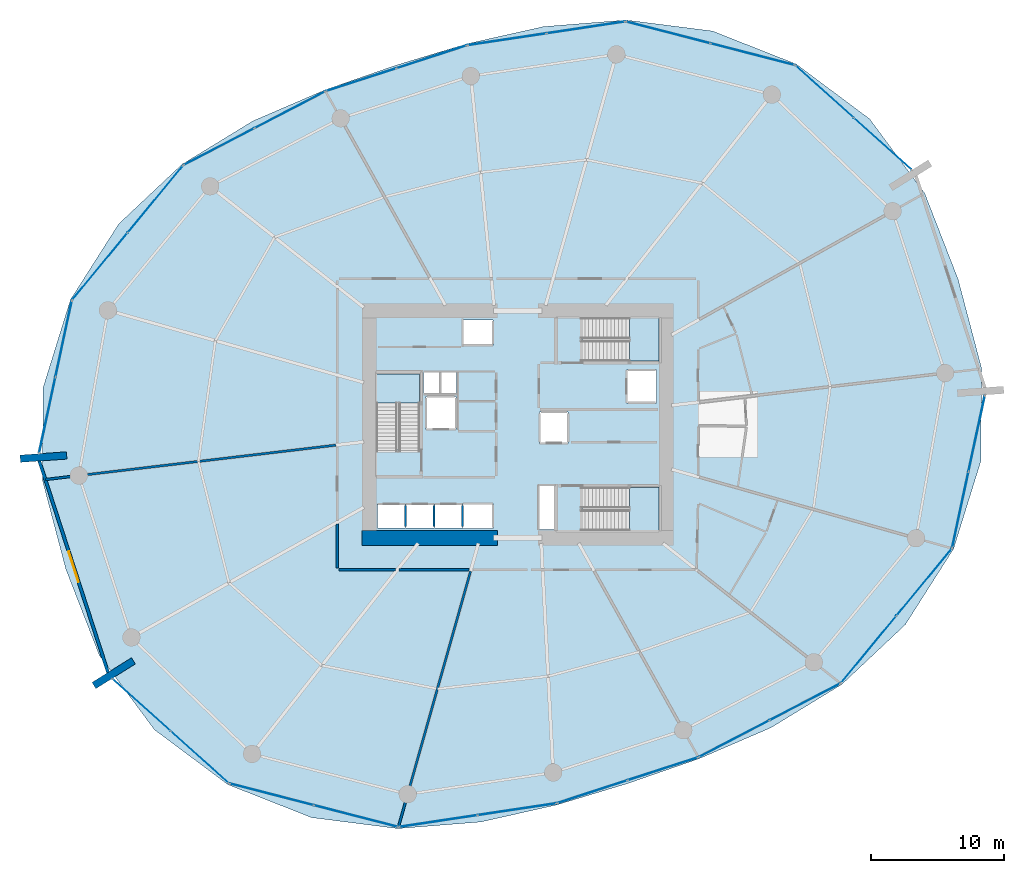
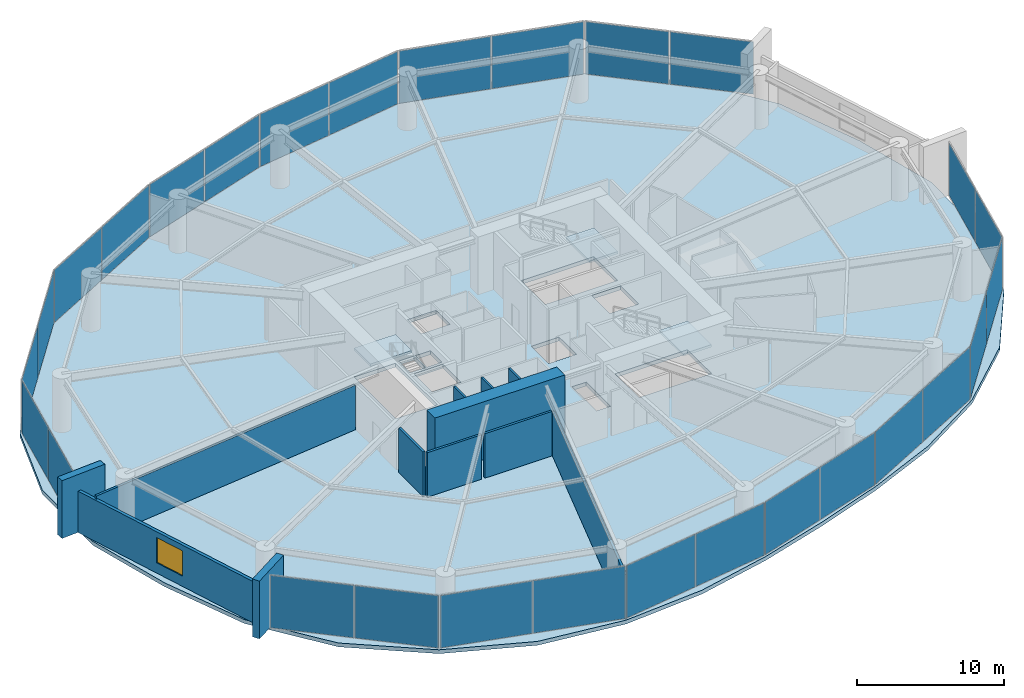
# One storey, part 17 of 22: 28 plates, 12 walls, 4 slabs, 1 window, 1 opening, 17 elements without a shape of their own.
"""IFC4 building model written with IfcOpenShell, lengths in metres."""

from ifc_helpers import new_model, si_unit, direction, frame, frame_2d, origin, origin_2d, place, context, subcontext, project, spatial, polyline, rectangle, outline, extrude, material, layer, layer_set, type_object, element, fill, aggregate, save


model = new_model("IFC4")

# Units and contexts
model_context = context("Model", 3, precision=1e-05, world=origin(), true_north=direction((0.0, 1.0)))
body_context = subcontext(model_context, "Body", "Model", "MODEL_VIEW")
ifc_project = project(units=[si_unit("LENGTHUNIT", "METRE"), si_unit("AREAUNIT", "SQUARE_METRE"), si_unit("VOLUMEUNIT", "CUBIC_METRE"), si_unit("PLANEANGLEUNIT", "RADIAN"), si_unit("MASSUNIT", "GRAM", prefix="KILO")], contexts=[model_context])

# Site, building, storey
site_placement = place(None, origin())
site = spatial("IfcSite", under=ifc_project, at=site_placement, CompositionType="ELEMENT")
building_placement = place(site_placement, origin())
building = spatial("IfcBuilding", under=site, at=building_placement, Name="Kazma Halo Residences", CompositionType="ELEMENT")
storey_placement = place(building_placement, frame((0.0, 0.0, 12.0)))
storey = spatial("IfcBuildingStorey", under=building, at=storey_placement, Name="L02", CompositionType="ELEMENT", Elevation=12.0)

# Curtain wall, plates
ifc_material_1 = material(Name="Aluminium AW-6063 T6 and Triple-Silver Low-E Glass", Category="aluminium")
ifc_layer_1 = layer(ifc_material_1, 0.179931640625)
ifc_layer_set_1 = layer_set([ifc_layer_1], Name="Aluminium AW-6063 T6 and Triple-Silver Low-E Glass")
curtain_wall_type = type_object("IfcCurtainWallType", Name="CW-SYS-1", PredefinedType="NOTDEFINED", material=ifc_layer_set_1)
curtain_wall_1_placement = place(storey_placement, origin())
curtain_wall_1 = element("IfcCurtainWall", 1, at=curtain_wall_1_placement, inside=storey, type_object=curtain_wall_type, Name="L02 unitised curtain wall B01", PredefinedType="NOTDEFINED")
ifc_material_2 = material(Name="Clear Triple-Silver Low-E Glass IGU", Category="glass")
ifc_layer_2 = layer(ifc_material_2, 0.031982421875)
ifc_layer_set_2 = layer_set([ifc_layer_2], Name="Clear Triple-Silver Low-E Glass IGU")
plate_type = type_object("IfcPlateType", Name="CW-SYS-1-PNL", PredefinedType="CURTAIN_PANEL", material=ifc_layer_set_2)
plate_1_placement = place(storey_placement, frame((75.8740234375, 63.110107421875, 0.06494140625), z_axis=(0.0, 0.0, 1.0), x_axis=(-0.744297770784, 0.667847908139, 0.0)))
plate_1 = element("IfcPlate", 2, at=plate_1_placement, type_object=plate_type, Name="CWS-1 panel 1.1", PredefinedType="CURTAIN_PANEL", context=body_context, shape_type="SweptSolid", body=[
    extrude(rectangle(XDim=5.8056640625, YDim=0.031982421875, at=origin_2d()), origin(), (0.0, 0.0, 1.0), 4.35009765625),
])
plate_2_placement = place(storey_placement, frame((71.50439453125, 67.031005859375, 0.06494140625), z_axis=(0.0, 0.0, 1.0), x_axis=(-0.744297770784, 0.667847908139, 0.0)))
plate_2 = element("IfcPlate", 3, at=plate_2_placement, type_object=plate_type, Name="CWS-1 panel 2.1", PredefinedType="CURTAIN_PANEL", context=body_context, shape_type="SweptSolid", body=[
    extrude(rectangle(XDim=5.8056640625, YDim=0.031982421875, at=origin_2d()), origin(), (0.0, 0.0, 1.0), 4.35009765625),
])
aggregate(curtain_wall_1, [plate_1, plate_2])

curtain_wall_2_placement = place(storey_placement, origin())
curtain_wall_2 = element("IfcCurtainWall", 4, at=curtain_wall_2_placement, inside=storey, type_object=curtain_wall_type, Name="L02 unitised curtain wall B02", PredefinedType="NOTDEFINED")
plate_3_placement = place(storey_placement, frame((66.09228515625, 69.839111328125, 0.06494140625), z_axis=(0.0, 0.0, 1.0), x_axis=(-0.96831625699, 0.249727103953, 0.0)))
plate_3 = element("IfcPlate", 5, at=plate_3_placement, type_object=plate_type, Name="CWS-1 panel 1.1", PredefinedType="CURTAIN_PANEL", context=body_context, shape_type="SweptSolid", body=[
    extrude(rectangle(XDim=6.48583984375, YDim=0.031982421875, at=origin_2d()), origin(), (0.0, 0.0, 1.0), 4.35009765625),
])
plate_4_placement = place(storey_placement, frame((59.7490234375, 71.47509765625, 0.06494140625), z_axis=(0.0, 0.0, 1.0), x_axis=(-0.96831625699, 0.249727103953, 0.0)))
plate_4 = element("IfcPlate", 6, at=plate_4_placement, type_object=plate_type, Name="CWS-1 panel 2.1", PredefinedType="CURTAIN_PANEL", context=body_context, shape_type="SweptSolid", body=[
    extrude(rectangle(XDim=6.48583984375, YDim=0.031982421875, at=origin_2d()), origin(), (0.0, 0.0, 1.0), 4.35009765625),
])
aggregate(curtain_wall_2, [plate_3, plate_4])

curtain_wall_3_placement = place(storey_placement, origin())
curtain_wall_3 = element("IfcCurtainWall", 7, at=curtain_wall_3_placement, inside=storey, type_object=curtain_wall_type, Name="L02 unitised curtain wall B03", PredefinedType="NOTDEFINED")
plate_5_placement = place(storey_placement, frame((53.549560546875, 71.85107421875, 0.06494140625), z_axis=(0.0, 0.0, 1.0), x_axis=(-0.988905053379, -0.148548966342, 0.0)))
plate_5 = element("IfcPlate", 8, at=plate_5_placement, type_object=plate_type, Name="CWS-1 panel 1.1", PredefinedType="CURTAIN_PANEL", context=body_context, shape_type="SweptSolid", body=[
    extrude(rectangle(XDim=5.929443359375, YDim=0.031982421875, at=origin_2d()), origin(), (0.0, 0.0, 1.0), 4.35009765625),
])
plate_6_placement = place(storey_placement, frame((47.621826171875, 70.96044921875, 0.06494140625), z_axis=(0.0, 0.0, 1.0), x_axis=(-0.988905053379, -0.148548966342, 0.0)))
plate_6 = element("IfcPlate", 9, at=plate_6_placement, type_object=plate_type, Name="CWS-1 panel 2.1", PredefinedType="CURTAIN_PANEL", context=body_context, shape_type="SweptSolid", body=[
    extrude(rectangle(XDim=5.929443359375, YDim=0.031982421875, at=origin_2d()), origin(), (0.0, 0.0, 1.0), 4.35009765625),
])
aggregate(curtain_wall_3, [plate_5, plate_6])

curtain_wall_4_placement = place(storey_placement, origin())
curtain_wall_4 = element("IfcCurtainWall", 10, at=curtain_wall_4_placement, inside=storey, type_object=curtain_wall_type, Name="L02 unitised curtain wall B04", PredefinedType="NOTDEFINED")
plate_7_placement = place(storey_placement, frame((41.94677734375, 69.64013671875, 0.06494140625), z_axis=(0.0, 0.0, 1.0), x_axis=(-0.951056436743, -0.309017239211, 0.0)))
plate_7 = element("IfcPlate", 11, at=plate_7_placement, type_object=plate_type, Name="CWS-1 panel 1.1", PredefinedType="CURTAIN_PANEL", context=body_context, shape_type="SweptSolid", body=[
    extrude(rectangle(XDim=5.50341796875, YDim=0.031982421875, at=origin_2d()), origin(), (0.0, 0.0, 1.0), 4.35009765625),
])
plate_8_placement = place(storey_placement, frame((36.65087890625, 67.91943359375, 0.06494140625), z_axis=(0.0, 0.0, 1.0), x_axis=(-0.951056436743, -0.309017239211, 0.0)))
plate_8 = element("IfcPlate", 12, at=plate_8_placement, type_object=plate_type, Name="CWS-1 panel 2.1", PredefinedType="CURTAIN_PANEL", context=body_context, shape_type="SweptSolid", body=[
    extrude(rectangle(XDim=5.50341796875, YDim=0.031982421875, at=origin_2d()), origin(), (0.0, 0.0, 1.0), 4.35009765625),
])
aggregate(curtain_wall_4, [plate_7, plate_8])

curtain_wall_5_placement = place(storey_placement, origin())
curtain_wall_5 = element("IfcCurtainWall", 13, at=curtain_wall_5_placement, inside=storey, type_object=curtain_wall_type, Name="L02 unitised curtain wall B05", PredefinedType="NOTDEFINED")
plate_9_placement = place(storey_placement, frame((31.283447265625, 65.65185546875, 0.06494140625), z_axis=(0.0, 0.0, 1.0), x_axis=(-0.887355036047, -0.46108680311, 0.0)))
plate_9 = element("IfcPlate", 14, at=plate_9_placement, type_object=plate_type, Name="CWS-1 panel 1.1", PredefinedType="CURTAIN_PANEL", context=body_context, shape_type="SweptSolid", body=[
    extrude(rectangle(XDim=5.929443359375, YDim=0.031982421875, at=origin_2d()), origin(), (0.0, 0.0, 1.0), 4.35009765625),
])
plate_10_placement = place(storey_placement, frame((25.96435546875, 62.887939453125, 0.06494140625), z_axis=(0.0, 0.0, 1.0), x_axis=(-0.887355036047, -0.46108680311, 0.0)))
plate_10 = element("IfcPlate", 15, at=plate_10_placement, type_object=plate_type, Name="CWS-1 panel 2.1", PredefinedType="CURTAIN_PANEL", context=body_context, shape_type="SweptSolid", body=[
    extrude(rectangle(XDim=5.929443359375, YDim=0.031982421875, at=origin_2d()), origin(), (0.0, 0.0, 1.0), 4.35009765625),
])
aggregate(curtain_wall_5, [plate_9, plate_10])

curtain_wall_6_placement = place(storey_placement, origin())
curtain_wall_6 = element("IfcCurtainWall", 16, at=curtain_wall_6_placement, inside=storey, type_object=curtain_wall_type, Name="L02 unitised curtain wall B06", PredefinedType="NOTDEFINED")
plate_11_placement = place(storey_placement, frame((21.169921875, 58.93994140625, 0.06494140625), z_axis=(0.0, 0.0, 1.0), x_axis=(-0.636602895194, -0.771191775002, 0.0)))
plate_11 = element("IfcPlate", 17, at=plate_11_placement, type_object=plate_type, Name="CWS-1 panel 1.1", PredefinedType="CURTAIN_PANEL", context=body_context, shape_type="SweptSolid", body=[
    extrude(rectangle(XDim=6.48583984375, YDim=0.031982421875, at=origin_2d()), origin(), (0.0, 0.0, 1.0), 4.35009765625),
])
plate_12_placement = place(storey_placement, frame((16.999755859375, 53.887939453125, 0.06494140625), z_axis=(0.0, 0.0, 1.0), x_axis=(-0.636602895194, -0.771191775002, 0.0)))
plate_12 = element("IfcPlate", 18, at=plate_12_placement, type_object=plate_type, Name="CWS-1 panel 2.1", PredefinedType="CURTAIN_PANEL", context=body_context, shape_type="SweptSolid", body=[
    extrude(rectangle(XDim=6.48583984375, YDim=0.031982421875, at=origin_2d()), origin(), (0.0, 0.0, 1.0), 4.35009765625),
])
aggregate(curtain_wall_6, [plate_11, plate_12])

curtain_wall_7_placement = place(storey_placement, origin())
curtain_wall_7 = element("IfcCurtainWall", 19, at=curtain_wall_7_placement, inside=storey, type_object=curtain_wall_type, Name="L02 unitised curtain wall B07", PredefinedType="NOTDEFINED")
plate_13_placement = place(storey_placement, frame((14.271728515625, 48.434814453125, 0.06494140625), z_axis=(0.0, 0.0, 1.0), x_axis=(-0.209595607771, -0.977788157631, 0.0)))
plate_13 = element("IfcPlate", 20, at=plate_13_placement, type_object=plate_type, Name="CWS-1 panel 1.1", PredefinedType="CURTAIN_PANEL", context=body_context, shape_type="SweptSolid", body=[
    extrude(rectangle(XDim=5.8056640625, YDim=0.031982421875, at=origin_2d()), origin(), (0.0, 0.0, 1.0), 4.35009765625),
])
plate_14_placement = place(storey_placement, frame((13.041259765625, 42.694580078125, 0.06494140625), z_axis=(0.0, 0.0, 1.0), x_axis=(-0.209595607771, -0.977788157631, 0.0)))
plate_14 = element("IfcPlate", 21, at=plate_14_placement, type_object=plate_type, Name="CWS-1 panel 2.1", PredefinedType="CURTAIN_PANEL", context=body_context, shape_type="SweptSolid", body=[
    extrude(rectangle(XDim=5.8056640625, YDim=0.031982421875, at=origin_2d()), origin(), (0.0, 0.0, 1.0), 4.35009765625),
])
aggregate(curtain_wall_7, [plate_13, plate_14])

curtain_wall_8_placement = place(storey_placement, origin())
curtain_wall_8 = element("IfcCurtainWall", 22, at=curtain_wall_8_placement, inside=storey, type_object=curtain_wall_type, Name="L02 unitised curtain wall B09", PredefinedType="NOTDEFINED")
plate_15_placement = place(storey_placement, frame((20.1259765625, 20.889892578125, 0.06494140625), z_axis=(0.0, 0.0, 1.0), x_axis=(0.744297770784, -0.667847908139, 0.0)))
plate_15 = element("IfcPlate", 23, at=plate_15_placement, type_object=plate_type, Name="CWS-1 panel 1.1", PredefinedType="CURTAIN_PANEL", context=body_context, shape_type="SweptSolid", body=[
    extrude(rectangle(XDim=5.8056640625, YDim=0.031982421875, at=origin_2d()), origin(), (0.0, 0.0, 1.0), 4.35009765625),
])
plate_16_placement = place(storey_placement, frame((24.49560546875, 16.968994140625, 0.06494140625), z_axis=(0.0, 0.0, 1.0), x_axis=(0.744297770784, -0.667847908139, 0.0)))
plate_16 = element("IfcPlate", 24, at=plate_16_placement, type_object=plate_type, Name="CWS-1 panel 2.1", PredefinedType="CURTAIN_PANEL", context=body_context, shape_type="SweptSolid", body=[
    extrude(rectangle(XDim=5.8056640625, YDim=0.031982421875, at=origin_2d()), origin(), (0.0, 0.0, 1.0), 4.35009765625),
])
aggregate(curtain_wall_8, [plate_15, plate_16])

curtain_wall_9_placement = place(storey_placement, origin())
curtain_wall_9 = element("IfcCurtainWall", 25, at=curtain_wall_9_placement, inside=storey, type_object=curtain_wall_type, Name="L02 unitised curtain wall B10", PredefinedType="NOTDEFINED")
plate_17_placement = place(storey_placement, frame((29.90771484375, 14.160888671875, 0.06494140625), z_axis=(0.0, 0.0, 1.0), x_axis=(0.96831625699, -0.249727103953, 0.0)))
plate_17 = element("IfcPlate", 26, at=plate_17_placement, type_object=plate_type, Name="CWS-1 panel 1.1", PredefinedType="CURTAIN_PANEL", context=body_context, shape_type="SweptSolid", body=[
    extrude(rectangle(XDim=6.48583984375, YDim=0.031982421875, at=origin_2d()), origin(), (0.0, 0.0, 1.0), 4.35009765625),
])
plate_18_placement = place(storey_placement, frame((36.2509765625, 12.52490234375, 0.06494140625), z_axis=(0.0, 0.0, 1.0), x_axis=(0.96831625699, -0.249727103953, 0.0)))
plate_18 = element("IfcPlate", 27, at=plate_18_placement, type_object=plate_type, Name="CWS-1 panel 2.1", PredefinedType="CURTAIN_PANEL", context=body_context, shape_type="SweptSolid", body=[
    extrude(rectangle(XDim=6.48583984375, YDim=0.031982421875, at=origin_2d()), origin(), (0.0, 0.0, 1.0), 4.35009765625),
])
aggregate(curtain_wall_9, [plate_17, plate_18])

curtain_wall_10_placement = place(storey_placement, origin())
curtain_wall_10 = element("IfcCurtainWall", 28, at=curtain_wall_10_placement, inside=storey, type_object=curtain_wall_type, Name="L02 unitised curtain wall B11", PredefinedType="NOTDEFINED")
plate_19_placement = place(storey_placement, frame((42.450439453125, 12.14892578125, 0.06494140625), z_axis=(0.0, 0.0, 1.0), x_axis=(0.988905053379, 0.148548966342, 0.0)))
plate_19 = element("IfcPlate", 29, at=plate_19_placement, type_object=plate_type, Name="CWS-1 panel 1.1", PredefinedType="CURTAIN_PANEL", context=body_context, shape_type="SweptSolid", body=[
    extrude(rectangle(XDim=5.929443359375, YDim=0.031982421875, at=origin_2d()), origin(), (0.0, 0.0, 1.0), 4.35009765625),
])
plate_20_placement = place(storey_placement, frame((48.378173828125, 13.03955078125, 0.06494140625), z_axis=(0.0, 0.0, 1.0), x_axis=(0.988905053379, 0.148548966342, 0.0)))
plate_20 = element("IfcPlate", 30, at=plate_20_placement, type_object=plate_type, Name="CWS-1 panel 2.1", PredefinedType="CURTAIN_PANEL", context=body_context, shape_type="SweptSolid", body=[
    extrude(rectangle(XDim=5.929443359375, YDim=0.031982421875, at=origin_2d()), origin(), (0.0, 0.0, 1.0), 4.35009765625),
])
aggregate(curtain_wall_10, [plate_19, plate_20])

curtain_wall_11_placement = place(storey_placement, origin())
curtain_wall_11 = element("IfcCurtainWall", 31, at=curtain_wall_11_placement, inside=storey, type_object=curtain_wall_type, Name="L02 unitised curtain wall B12", PredefinedType="NOTDEFINED")
plate_21_placement = place(storey_placement, frame((54.05322265625, 14.35986328125, 0.06494140625), z_axis=(0.0, 0.0, 1.0), x_axis=(0.951056436743, 0.309017239211, 0.0)))
plate_21 = element("IfcPlate", 32, at=plate_21_placement, type_object=plate_type, Name="CWS-1 panel 1.1", PredefinedType="CURTAIN_PANEL", context=body_context, shape_type="SweptSolid", body=[
    extrude(rectangle(XDim=5.50341796875, YDim=0.031982421875, at=origin_2d()), origin(), (0.0, 0.0, 1.0), 4.35009765625),
])
plate_22_placement = place(storey_placement, frame((59.34912109375, 16.08056640625, 0.06494140625), z_axis=(0.0, 0.0, 1.0), x_axis=(0.951056436743, 0.309017239211, 0.0)))
plate_22 = element("IfcPlate", 33, at=plate_22_placement, type_object=plate_type, Name="CWS-1 panel 2.1", PredefinedType="CURTAIN_PANEL", context=body_context, shape_type="SweptSolid", body=[
    extrude(rectangle(XDim=5.50341796875, YDim=0.031982421875, at=origin_2d()), origin(), (0.0, 0.0, 1.0), 4.35009765625),
])
aggregate(curtain_wall_11, [plate_21, plate_22])

curtain_wall_12_placement = place(storey_placement, origin())
curtain_wall_12 = element("IfcCurtainWall", 34, at=curtain_wall_12_placement, inside=storey, type_object=curtain_wall_type, Name="L02 unitised curtain wall B13", PredefinedType="NOTDEFINED")
plate_23_placement = place(storey_placement, frame((64.716552734375, 18.34814453125, 0.06494140625), z_axis=(0.0, 0.0, 1.0), x_axis=(0.887355036047, 0.46108680311, 0.0)))
plate_23 = element("IfcPlate", 35, at=plate_23_placement, type_object=plate_type, Name="CWS-1 panel 1.1", PredefinedType="CURTAIN_PANEL", context=body_context, shape_type="SweptSolid", body=[
    extrude(rectangle(XDim=5.929443359375, YDim=0.031982421875, at=origin_2d()), origin(), (0.0, 0.0, 1.0), 4.35009765625),
])
plate_24_placement = place(storey_placement, frame((70.03564453125, 21.112060546875, 0.06494140625), z_axis=(0.0, 0.0, 1.0), x_axis=(0.887355036047, 0.46108680311, 0.0)))
plate_24 = element("IfcPlate", 36, at=plate_24_placement, type_object=plate_type, Name="CWS-1 panel 2.1", PredefinedType="CURTAIN_PANEL", context=body_context, shape_type="SweptSolid", body=[
    extrude(rectangle(XDim=5.929443359375, YDim=0.031982421875, at=origin_2d()), origin(), (0.0, 0.0, 1.0), 4.35009765625),
])
aggregate(curtain_wall_12, [plate_23, plate_24])

curtain_wall_13_placement = place(storey_placement, origin())
curtain_wall_13 = element("IfcCurtainWall", 37, at=curtain_wall_13_placement, inside=storey, type_object=curtain_wall_type, Name="L02 unitised curtain wall B14", PredefinedType="NOTDEFINED")
plate_25_placement = place(storey_placement, frame((74.830078125, 25.06005859375, 0.06494140625), z_axis=(0.0, 0.0, 1.0), x_axis=(0.636602895194, 0.771191775002, 0.0)))
plate_25 = element("IfcPlate", 38, at=plate_25_placement, type_object=plate_type, Name="CWS-1 panel 1.1", PredefinedType="CURTAIN_PANEL", context=body_context, shape_type="SweptSolid", body=[
    extrude(rectangle(XDim=6.48583984375, YDim=0.031982421875, at=origin_2d()), origin(), (0.0, 0.0, 1.0), 4.35009765625),
])
plate_26_placement = place(storey_placement, frame((79.000244140625, 30.112060546875, 0.06494140625), z_axis=(0.0, 0.0, 1.0), x_axis=(0.636602895194, 0.771191775002, 0.0)))
plate_26 = element("IfcPlate", 39, at=plate_26_placement, type_object=plate_type, Name="CWS-1 panel 2.1", PredefinedType="CURTAIN_PANEL", context=body_context, shape_type="SweptSolid", body=[
    extrude(rectangle(XDim=6.48583984375, YDim=0.031982421875, at=origin_2d()), origin(), (0.0, 0.0, 1.0), 4.35009765625),
])
aggregate(curtain_wall_13, [plate_25, plate_26])

curtain_wall_14_placement = place(storey_placement, origin())
curtain_wall_14 = element("IfcCurtainWall", 40, at=curtain_wall_14_placement, inside=storey, type_object=curtain_wall_type, Name="L02 unitised curtain wall B15", PredefinedType="NOTDEFINED")
plate_27_placement = place(storey_placement, frame((81.728271484375, 35.565185546875, 0.06494140625), z_axis=(0.0, 0.0, 1.0), x_axis=(0.209595607771, 0.977788157631, 0.0)))
plate_27 = element("IfcPlate", 41, at=plate_27_placement, type_object=plate_type, Name="CWS-1 panel 1.1", PredefinedType="CURTAIN_PANEL", context=body_context, shape_type="SweptSolid", body=[
    extrude(rectangle(XDim=5.8056640625, YDim=0.031982421875, at=origin_2d()), origin(), (0.0, 0.0, 1.0), 4.35009765625),
])
plate_28_placement = place(storey_placement, frame((82.958740234375, 41.305419921875, 0.06494140625), z_axis=(0.0, 0.0, 1.0), x_axis=(0.209595607771, 0.977788157631, 0.0)))
plate_28 = element("IfcPlate", 42, at=plate_28_placement, type_object=plate_type, Name="CWS-1 panel 2.1", PredefinedType="CURTAIN_PANEL", context=body_context, shape_type="SweptSolid", body=[
    extrude(rectangle(XDim=5.8056640625, YDim=0.031982421875, at=origin_2d()), origin(), (0.0, 0.0, 1.0), 4.35009765625),
])
aggregate(curtain_wall_14, [plate_27, plate_28])

# Slab
ifc_material_3 = material(Name="Concrete C50/60", Category="concrete")
ifc_layer_3 = layer(ifc_material_3, 0.320068359375)
ifc_layer_set_3 = layer_set([ifc_layer_3], Name="Concrete C50/60")
slab_type_1 = type_object("IfcSlabType", Name="SLB-POD-320", PredefinedType="FLOOR", material=ifc_layer_set_3)
slab_1_placement = place(storey_placement, frame((0.0, 0.0, -0.320068359375)))
element("IfcSlab", 43, at=slab_1_placement, inside=storey, type_object=slab_type_1, Name="L02 structural floor slab", PredefinedType="FLOOR", context=body_context, shape_type="SweptSolid", body=[
    extrude(outline(polyline([(81.56396484375, 52.905517578125), (79.04638671875, 59.38671875), (74.903564453125, 64.977783203125), (69.36962890625, 69.107177734375), (63.076171875, 71.58837890625), (56.578369140625, 72.41650390625), (50.354736328125, 71.918701171875), (44.611572265625, 70.629638671875), (39.226318359375, 69.00244140625), (33.913330078125, 67.153564453125), (28.50927734375, 64.82080078125), (23.181396484375, 61.565185546875), (18.41162109375, 57.076171875), (14.7783203125, 51.369384765625), (12.728515625, 44.77587890625), (12.663330078125, 37.817626953125), (14.43603515625, 31.094482421875), (16.95361328125, 24.61328125), (21.096435546875, 19.022216796875), (26.63037109375, 14.892822265625), (32.923828125, 12.41162109375), (39.421630859375, 11.58349609375), (45.645263671875, 12.081298828125), (51.388427734375, 13.370361328125), (56.773681640625, 14.99755859375), (62.086669921875, 16.846435546875), (67.49072265625, 19.17919921875), (72.818603515625, 22.434814453125), (77.58837890625, 26.923828125), (81.2216796875, 32.630615234375), (83.271484375, 39.22412109375), (83.336669921875, 46.182373046875), (81.56396484375, 52.905517578125)]), holes=[polyline([(37.800048828125, 40.110107421875), (41.050048828125, 40.110107421875), (41.050048828125, 45.800048828125), (37.800048828125, 45.800048828125), (37.800048828125, 40.110107421875)]), polyline([(53.360107421875, 46.75), (59.050048828125, 46.75), (59.050048828125, 50.0), (53.360107421875, 50.0), (53.360107421875, 46.75)]), polyline([(53.360107421875, 34.0), (59.050048828125, 34.0), (59.050048828125, 37.25), (53.360107421875, 37.25), (53.360107421875, 34.0)]), polyline([(41.52001953125, 41.6201171875), (43.780029296875, 41.6201171875), (43.780029296875, 44.080078125), (41.52001953125, 44.080078125), (41.52001953125, 41.6201171875)]), polyline([(56.6201171875, 43.6201171875), (58.8798828125, 43.6201171875), (58.8798828125, 46.080078125), (56.6201171875, 46.080078125), (56.6201171875, 43.6201171875)]), polyline([(37.864990234375, 34.195068359375), (39.97509765625, 34.195068359375), (39.97509765625, 36.0048828125), (37.864990234375, 36.0048828125), (37.864990234375, 34.195068359375)]), polyline([(40.014892578125, 34.195068359375), (42.125, 34.195068359375), (42.125, 36.0048828125), (40.014892578125, 36.0048828125), (40.014892578125, 34.195068359375)]), polyline([(42.1650390625, 34.195068359375), (44.27490234375, 34.195068359375), (44.27490234375, 36.0048828125), (42.1650390625, 36.0048828125), (42.1650390625, 34.195068359375)]), polyline([(44.320068359375, 47.945068359375), (46.580078125, 47.945068359375), (46.580078125, 49.85498046875), (44.320068359375, 49.85498046875), (44.320068359375, 47.945068359375)]), polyline([(44.320068359375, 34.14501953125), (46.580078125, 34.14501953125), (46.580078125, 36.054931640625), (44.320068359375, 36.054931640625), (44.320068359375, 34.14501953125)]), polyline([(50.070068359375, 40.570068359375), (52.22998046875, 40.570068359375), (52.22998046875, 42.929931640625), (50.070068359375, 42.929931640625), (50.070068359375, 40.570068359375)]), polyline([(41.360107421875, 44.340087890625), (42.5400390625, 44.340087890625), (42.5400390625, 45.89990234375), (41.360107421875, 45.89990234375), (41.360107421875, 44.340087890625)]), polyline([(42.659912109375, 44.340087890625), (43.840087890625, 44.340087890625), (43.840087890625, 45.89990234375), (42.659912109375, 45.89990234375), (42.659912109375, 44.340087890625)]), polyline([(50.06005859375, 34.080078125), (51.159912109375, 34.080078125), (51.159912109375, 37.3798828125), (50.06005859375, 37.3798828125), (50.06005859375, 34.080078125)])]), origin(), (0.0, 0.0, 1.0), 0.320068359375),
])

# Stair, slab
stair_type = type_object("IfcStairType", Name="STR-POD", PredefinedType="HALF_TURN_STAIR", material=ifc_material_3)
stair_1_placement = place(storey_placement, origin())
stair_1 = element("IfcStair", 44, at=stair_1_placement, inside=storey, type_object=stair_type, Name="L02 Core exit stair ST-01", PredefinedType="HALF_TURN_STAIR")
ifc_layer_4 = layer(ifc_material_3, 0.199951171875)
ifc_layer_set_4 = layer_set([ifc_layer_4], Name="Concrete C50/60")
slab_type_2 = type_object("IfcSlabType", Name="SLB-STAIR-LND-200", PredefinedType="LANDING", material=ifc_layer_set_4)
slab_2_placement = place(storey_placement, frame((0.0, 0.0, 2.199951171875)))
slab_2 = element("IfcSlab", 45, at=slab_2_placement, type_object=slab_type_2, Name="ST-01 landing 1", PredefinedType="LANDING", context=body_context, shape_type="SweptSolid", body=[
    extrude(outline(polyline([(41.050048828125, 43.590087890625), (41.050048828125, 45.800048828125), (37.800048828125, 45.800048828125), (37.800048828125, 43.590087890625), (41.050048828125, 43.590087890625)])), origin(), (0.0, 0.0, 1.0), 0.199951171875),
])
aggregate(stair_1, [slab_2])

stair_2_placement = place(storey_placement, origin())
stair_2 = element("IfcStair", 46, at=stair_2_placement, inside=storey, type_object=stair_type, Name="L02 Core exit stair ST-02", PredefinedType="HALF_TURN_STAIR")
slab_3_placement = place(storey_placement, frame((0.0, 0.0, 2.199951171875)))
slab_3 = element("IfcSlab", 47, at=slab_3_placement, type_object=slab_type_2, Name="ST-02 landing 1", PredefinedType="LANDING", context=body_context, shape_type="SweptSolid", body=[
    extrude(outline(polyline([(56.840087890625, 46.75), (59.050048828125, 46.75), (59.050048828125, 50.0), (56.840087890625, 50.0), (56.840087890625, 46.75)])), origin(), (0.0, 0.0, 1.0), 0.199951171875),
])
aggregate(stair_2, [slab_3])

stair_3_placement = place(storey_placement, origin())
stair_3 = element("IfcStair", 48, at=stair_3_placement, inside=storey, type_object=stair_type, Name="L02 Core exit stair ST-03", PredefinedType="HALF_TURN_STAIR")
slab_4_placement = place(storey_placement, frame((0.0, 0.0, 2.199951171875)))
slab_4 = element("IfcSlab", 49, at=slab_4_placement, type_object=slab_type_2, Name="ST-03 landing 1", PredefinedType="LANDING", context=body_context, shape_type="SweptSolid", body=[
    extrude(outline(polyline([(56.840087890625, 34.0), (59.050048828125, 34.0), (59.050048828125, 37.25), (56.840087890625, 37.25), (56.840087890625, 34.0)])), origin(), (0.0, 0.0, 1.0), 0.199951171875),
])
aggregate(stair_3, [slab_4])

# Walls
ifc_material_4 = material(Name="Pale Concrete C60/75", Category="concrete")
ifc_layer_5 = layer(ifc_material_4, 0.550048828125)
ifc_layer_set_5 = layer_set([ifc_layer_5], Name="Pale Concrete C60/75")
wall_type_1 = type_object("IfcWallType", Name="WL-BLADE-550", PredefinedType="SOLIDWALL", material=ifc_layer_set_5)
for number, where, z_axis, x_axis, name in (
    (50, (14.497314453125, 39.6572265625, 0.0), (0.0, 0.0, 1.0), (-0.997564163539, -0.069754853754, 0.0), "L02 pale concrete structural blade fin wall BW-02"),
    (51, (19.518798828125, 24.202880859375, 0.0), (0.0, 0.0, 1.0), (-0.848053161125, -0.529911158502, 0.0), "L02 pale concrete structural blade fin wall BW-03"),
):
    element("IfcWall", number, at=place(storey_placement, frame(where, z_axis=z_axis, x_axis=x_axis)), inside=storey, type_object=wall_type_1, Name=name, PredefinedType="SOLIDWALL", context=body_context, shape_type="SweptSolid", body=[
        extrude(rectangle(XDim=3.5, YDim=0.550048828125, at=frame_2d((1.75, 0.0))), origin(), (0.0, 0.0, 1.0), 4.800048828125),
    ])
ifc_material_5 = material(Name="Concrete C80/95", Category="concrete")
ifc_layer_6 = layer(ifc_material_5, 1.10009765625)
ifc_layer_set_6 = layer_set([ifc_layer_6], Name="Concrete C80/95")
wall_type_2 = type_object("IfcWallType", Name="WL-CORE-1100", PredefinedType="SHEAR", material=ifc_layer_set_6)
wall_1_placement = place(storey_placement, frame((36.699951171875, 33.449951171875, 0.0), z_axis=(0.0, 0.0, 1.0), x_axis=(1.0, 0.0, 0.0)))
element("IfcWall", 52, at=wall_1_placement, inside=storey, type_object=wall_type_2, Name="L02 central core shear wall SW", PredefinedType="SHEAR", context=body_context, shape_type="SweptSolid", body=[
    extrude(rectangle(XDim=10.199951171875, YDim=1.10009765625, at=frame_2d((5.10009765625, 0.0))), origin(), (0.0, 0.0, 1.0), 4.800048828125),
])
ifc_material_6 = material(Name="Acoustic Twin-Stud Gypsum")
ifc_layer_7 = layer(ifc_material_6, 0.179931640625)
ifc_layer_set_7 = layer_set([ifc_layer_7], Name="Acoustic Twin-Stud Gypsum")
wall_type_3 = type_object("IfcWallType", Name="WL-DEM-180", PredefinedType="PARTITIONING", material=ifc_layer_set_7)
wall_2_placement = place(storey_placement, frame((34.74072265625, 40.4306640625, 0.0), z_axis=(0.0, 0.0, 1.0), x_axis=(-0.993068662125, -0.117535663975, 0.0)))
element("IfcWall", 53, at=wall_2_placement, inside=storey, type_object=wall_type_3, Name="L02 radial partition wall 07", PredefinedType="PARTITIONING", context=body_context, shape_type="SweptSolid", body=[
    extrude(rectangle(XDim=21.98876953125, YDim=0.179931640625, at=frame_2d((10.994384765625, 0.0))), origin(), (0.0, 0.0, 1.0), 3.693115234375),
])
wall_3_placement = place(storey_placement, frame((34.85009765625, 34.49560546875, 0.0), z_axis=(0.0, 0.0, 1.0), x_axis=(0.0, -1.0, 0.0)))
element("IfcWall", 54, at=wall_3_placement, inside=storey, type_object=wall_type_3, Name="L02 Hydrotherapy Linen Store Room corridor wall", PredefinedType="PARTITIONING", context=body_context, shape_type="SweptSolid", body=[
    extrude(rectangle(XDim=3.3056640625, YDim=0.179931640625, at=frame_2d((1.65283203125, 0.0))), origin(), (0.0, 0.0, 1.0), 3.693115234375),
])
wall_4_placement = place(storey_placement, frame((34.989990234375, 31.050048828125, 0.0), z_axis=(0.0, 0.0, 1.0), x_axis=(1.0, 0.0, 0.0)))
element("IfcWall", 55, at=wall_4_placement, inside=storey, type_object=wall_type_3, Name="L02 Hydrotherapy Linen Store Room corridor wall", PredefinedType="PARTITIONING", context=body_context, shape_type="SweptSolid", body=[
    extrude(rectangle(XDim=4.23779296875, YDim=0.179931640625, at=frame_2d((2.118896484375, 0.0))), origin(), (0.0, 0.0, 1.0), 3.693115234375),
])
wall_5_placement = place(storey_placement, frame((39.5078125, 31.050048828125, 0.0), z_axis=(0.0, 0.0, 1.0), x_axis=(1.0, 0.0, 0.0)))
element("IfcWall", 56, at=wall_5_placement, inside=storey, type_object=wall_type_3, Name="L02 Hydrotherapy Linen Store Room corridor wall", PredefinedType="PARTITIONING", context=body_context, shape_type="SweptSolid", body=[
    extrude(rectangle(XDim=5.263916015625, YDim=0.179931640625, at=frame_2d((2.6318359375, 0.0))), origin(), (0.0, 0.0, 1.0), 3.693115234375),
])
wall_6_placement = place(storey_placement, frame((44.8818359375, 30.944091796875, 0.0), z_axis=(0.0, 0.0, 1.0), x_axis=(-0.271438678553, -0.962455736014, 0.0)))
element("IfcWall", 57, at=wall_6_placement, inside=storey, type_object=wall_type_3, Name="L02 radial partition wall 10", PredefinedType="PARTITIONING", context=body_context, shape_type="SweptSolid", body=[
    extrude(rectangle(XDim=19.970947265625, YDim=0.179931640625, at=frame_2d((9.9853515625, 0.0))), origin(), (0.0, 0.0, 1.0), 3.693115234375),
])

# Wall, opening, window
ifc_material_7 = material(Name="Insulated Pale-Metal Composite Wall")
ifc_layer_8 = layer(ifc_material_7, 0.239990234375)
ifc_layer_set_8 = layer_set([ifc_layer_8], Name="Insulated Pale-Metal Composite Wall")
wall_type_4 = type_object("IfcWallType", Name="WL-EXT-HOST-240", PredefinedType="SOLIDWALL", material=ifc_layer_set_8)
wall_7_placement = place(storey_placement, frame((12.42724609375, 39.275390625, 0.0), z_axis=(0.0, 0.0, 1.0), x_axis=(0.309022005354, -0.951054888115, 0.0)))
wall_7 = element("IfcWall", 58, at=wall_7_placement, inside=storey, type_object=wall_type_4, Name="L02 podium end wall B08", PredefinedType="SOLIDWALL", context=body_context, shape_type="SweptSolid", body=[
    extrude(rectangle(XDim=16.802734375, YDim=0.239990234375, at=frame_2d((8.4013671875, 0.0))), origin(), (0.0, 0.0, 1.0), 3.429931640625),
])
opening_placement = place(wall_7_placement, frame((7.201171875, 0.0, 0.85009765625)))
opening = element("IfcOpeningElement", 59, at=opening_placement, cuts=wall_7, Name="Opening W-2400", PredefinedType="OPENING", context=body_context, shape_type="SweptSolid", body=[
    extrude(rectangle(XDim=2.39990234375, YDim=2.10009765625, at=frame_2d((1.199951171875, 1.050048828125))), frame((0.0, 0.1298828125, 0.0), z_axis=(0.0, -1.0, 0.0), x_axis=(1.0, 0.0, 0.0)), (0.0, 0.0, 1.0), 0.260009765625),
])
ifc_material_8 = material(Name="Clear Triple-Silver Low-E Glass in Aluminium AW-6063 T6 Frame", Category="aluminium")
window_type = type_object("IfcWindowType", Name="WIN-POD-2400", PartitioningType="DOUBLE_PANEL_VERTICAL", PredefinedType="WINDOW", material=ifc_material_8)
window_placement = place(opening_placement, origin())
window = element("IfcWindow", 60, at=window_placement, inside=storey, type_object=window_type, Name="L02 podium vision window B08", OverallHeight=2.10009765625, OverallWidth=2.39990234375, PartitioningType="SINGLE_PANEL", PredefinedType="WINDOW", context=body_context, shape_type="SweptSolid", body=[
    extrude(rectangle(XDim=2.39990234375, YDim=2.10009765625, at=frame_2d((1.199951171875, 1.050048828125))), frame((0.0, 0.030029296875, 0.0), z_axis=(0.0, -1.0, 0.0), x_axis=(1.0, 0.0, 0.0)), (0.0, 0.0, 1.0), 0.06005859375),
])
fill(opening, window)

# Walls
ifc_material_9 = material(Name="Fire-Rated Blockwork Masonry", Category="masonry")
ifc_layer_9 = layer(ifc_material_9, 0.199951171875)
ifc_layer_set_9 = layer_set([ifc_layer_9], Name="Fire-Rated Blockwork Masonry")
wall_type_5 = type_object("IfcWallType", Name="WL-FLB-200", PredefinedType="PARTITIONING", material=ifc_layer_set_9)
for number, where, z_axis, x_axis, name in (
    (61, (39.97509765625, 34.294921875, 0.0), (0.0, 0.0, 1.0), (0.0, 1.0, 0.0), "L02 lift shaft PL-01 side wall E"),
    (62, (42.125, 34.294921875, 0.0), (0.0, 0.0, 1.0), (0.0, 1.0, 0.0), "L02 lift shaft PL-02 side wall E"),
    (63, (44.27490234375, 34.294921875, 0.0), (0.0, 0.0, 1.0), (0.0, 1.0, 0.0), "L02 lift shaft PL-03 side wall E"),
):
    element("IfcWall", number, at=place(storey_placement, frame(where, z_axis=z_axis, x_axis=x_axis)), inside=storey, type_object=wall_type_5, Name=name, PredefinedType="PARTITIONING", context=body_context, shape_type="SweptSolid", body=[
        extrude(rectangle(XDim=1.610107421875, YDim=0.159912109375, at=frame_2d((0.80517578125, 0.0))), origin(), (0.0, 0.0, 1.0), 4.47998046875),
    ])

save(model, "model.ifc")
